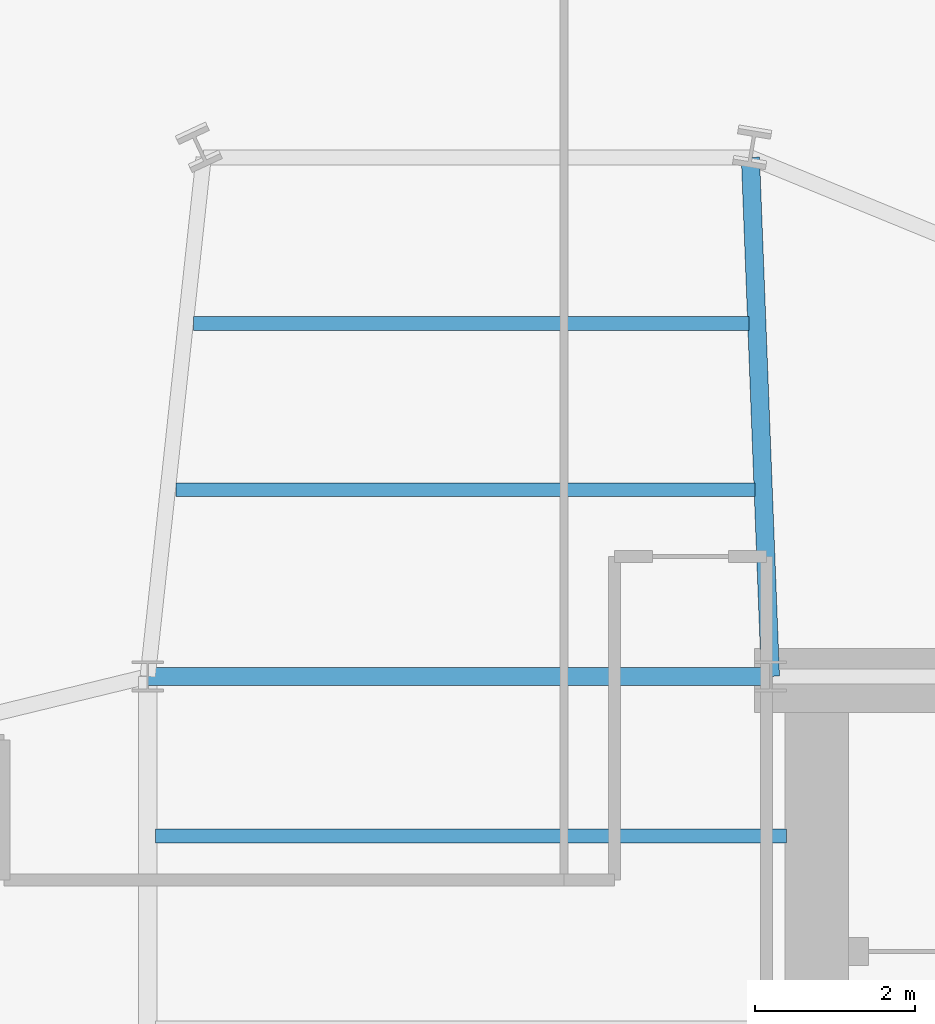
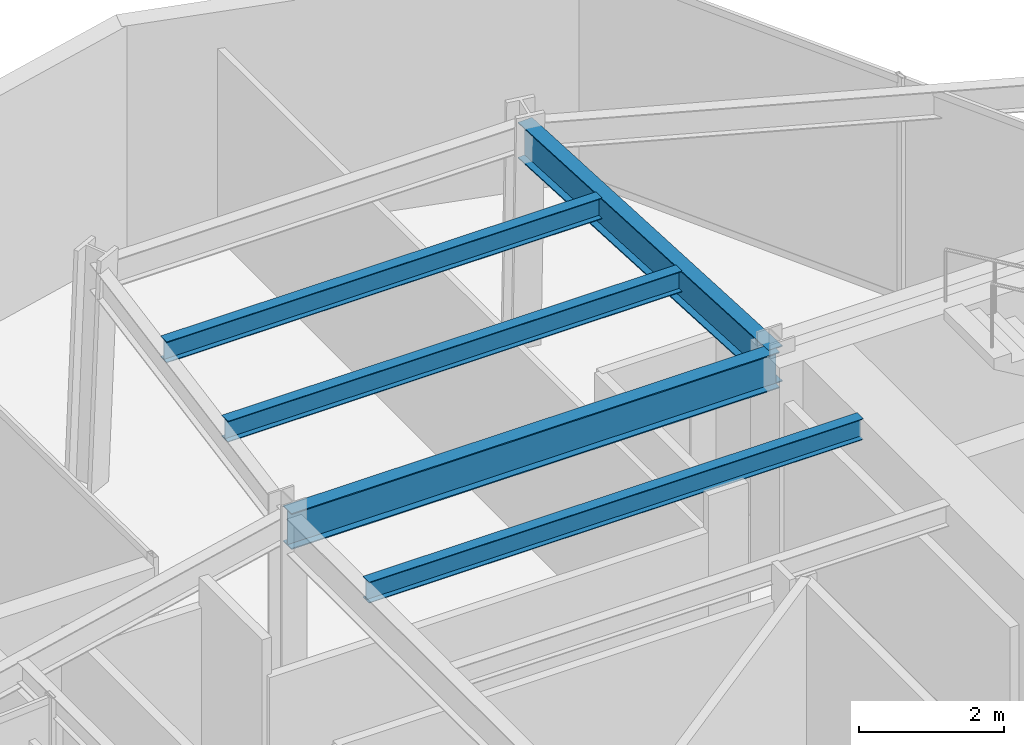
# One storey, part 11 of 25: 5 beams.
"""IFC4 building model written with IfcOpenShell, lengths in metres."""

from ifc_helpers import new_model, si_unit, direction, frame, origin, origin_2d, place, context, subcontext, project, spatial, i_section, extrude, material, material_profile, profile_set, type_object, element, save


model = new_model("IFC4")

# Units and contexts
model_context = context("Model", 3, precision=1e-05, world=origin(), true_north=direction((0.0, 1.0)))
body_context = subcontext(model_context, "Body", "Model", "MODEL_VIEW")
ifc_project = project(units=[si_unit("LENGTHUNIT", "METRE"), si_unit("AREAUNIT", "SQUARE_METRE"), si_unit("VOLUMEUNIT", "CUBIC_METRE"), si_unit("PLANEANGLEUNIT", "RADIAN"), si_unit("MASSUNIT", "GRAM", prefix="KILO")], contexts=[model_context])

# Site, building, storey
site_placement = place(None, origin())
site = spatial("IfcSite", under=ifc_project, at=site_placement, CompositionType="ELEMENT")
building_placement = place(site_placement, origin())
building = spatial("IfcBuilding", under=site, at=building_placement, Name="Veymaron Broadcast Tower", CompositionType="ELEMENT")
storey_placement = place(building_placement, frame((0.0, 0.0, 137.10009765625)))
storey = spatial("IfcBuildingStorey", under=building, at=storey_placement, Name="L31", CompositionType="ELEMENT", Elevation=137.10009765625)

# Beams
ifc_material = material(Name="Structural steel ASTM A992 Gr 50", Category="steel")
ifc_material_profile_1 = material_profile(ifc_material, i_section(OverallWidth=0.22802734375, OverallDepth=0.60791015625, WebThickness=0.01123046875, FlangeThickness=0.017333984375, at=origin_2d()), Name="W610X113")
ifc_profile_set_1 = profile_set([ifc_material_profile_1], Name="Structural steel ASTM A992 Gr 50")
beam_type_1 = type_object("IfcBeamType", Name="BM-FG2", PredefinedType="BEAM", material=ifc_profile_set_1)
beam_1_placement = place(storey_placement, frame((31.199951171875, 32.0, 3.505859375), z_axis=(1.0, 0.0, 0.0), x_axis=(0.0, 1.0, 0.0)))
element("IfcBeam", 1, at=beam_1_placement, inside=storey, type_object=beam_type_1, Name="L31 primary structural floor girder", PredefinedType="BEAM", context=body_context, shape_type="SweptSolid", body=[
    extrude(i_section(OverallWidth=0.22802734375, OverallDepth=0.60791015625, WebThickness=0.01123046875, FlangeThickness=0.017333984375, at=origin_2d()), origin(), (0.0, 0.0, 1.0), 7.800048828125),
])
beam_2_placement = place(storey_placement, frame((39.0, 32.0, 3.505859375), z_axis=(-0.038433122101, 0.999261174631, 0.0), x_axis=(-0.999261174631, -0.038433122101, 0.0)))
element("IfcBeam", 2, at=beam_2_placement, inside=storey, type_object=beam_type_1, Name="L31 primary structural floor girder", PredefinedType="BEAM", context=body_context, shape_type="SweptSolid", body=[
    extrude(i_section(OverallWidth=0.22802734375, OverallDepth=0.60791015625, WebThickness=0.01123046875, FlangeThickness=0.017333984375, at=origin_2d()), origin(), (0.0, 0.0, 1.0), 6.5048828125),
])
ifc_material_profile_2 = material_profile(ifc_material, i_section(OverallWidth=0.1708984375, OverallDepth=0.35498046875, WebThickness=0.007080078125, FlangeThickness=0.01171875, at=origin_2d()), Name="W360X51")
ifc_profile_set_2 = profile_set([ifc_material_profile_2], Name="Structural steel ASTM A992 Gr 50")
beam_type_2 = type_object("IfcBeamType", Name="BM-JS2", PredefinedType="JOIST", material=ifc_profile_set_2)
beam_3_placement = place(storey_placement, frame((31.552001953125, 34.340087890625, 3.63232421875), z_axis=(1.0, 0.0, 0.0), x_axis=(0.0, 1.0, 0.0)))
element("IfcBeam", 3, at=beam_3_placement, inside=storey, type_object=beam_type_2, Name="L31 Arm-B secondary joist 1", PredefinedType="JOIST", context=body_context, shape_type="SweptSolid", body=[
    extrude(i_section(OverallWidth=0.1708984375, OverallDepth=0.35498046875, WebThickness=0.007080078125, FlangeThickness=0.01171875, at=origin_2d()), origin(), (0.0, 0.0, 1.0), 7.258056640625),
])
beam_4_placement = place(storey_placement, frame((31.77587890625, 36.419921875, 3.63232421875), z_axis=(1.0, 0.0, 0.0), x_axis=(0.0, 1.0, 0.0)))
element("IfcBeam", 4, at=beam_4_placement, inside=storey, type_object=beam_type_2, Name="L31 Arm-B secondary joist 2", PredefinedType="JOIST", context=body_context, shape_type="SweptSolid", body=[
    extrude(i_section(OverallWidth=0.1708984375, OverallDepth=0.35498046875, WebThickness=0.007080078125, FlangeThickness=0.01171875, at=origin_2d()), origin(), (0.0, 0.0, 1.0), 6.9541015625),
])
beam_5_placement = place(storey_placement, frame((31.300048828125, 30.0, 3.63232421875), z_axis=(1.0, 0.0, 0.0), x_axis=(0.0, 1.0, 0.0)))
element("IfcBeam", 5, at=beam_5_placement, inside=storey, type_object=beam_type_2, Name="L31 Hub secondary joist 4", PredefinedType="JOIST", context=body_context, shape_type="SweptSolid", body=[
    extrude(i_section(OverallWidth=0.1708984375, OverallDepth=0.35498046875, WebThickness=0.007080078125, FlangeThickness=0.01171875, at=origin_2d()), origin(), (0.0, 0.0, 1.0), 7.89990234375),
])

save(model, "model.ifc")
